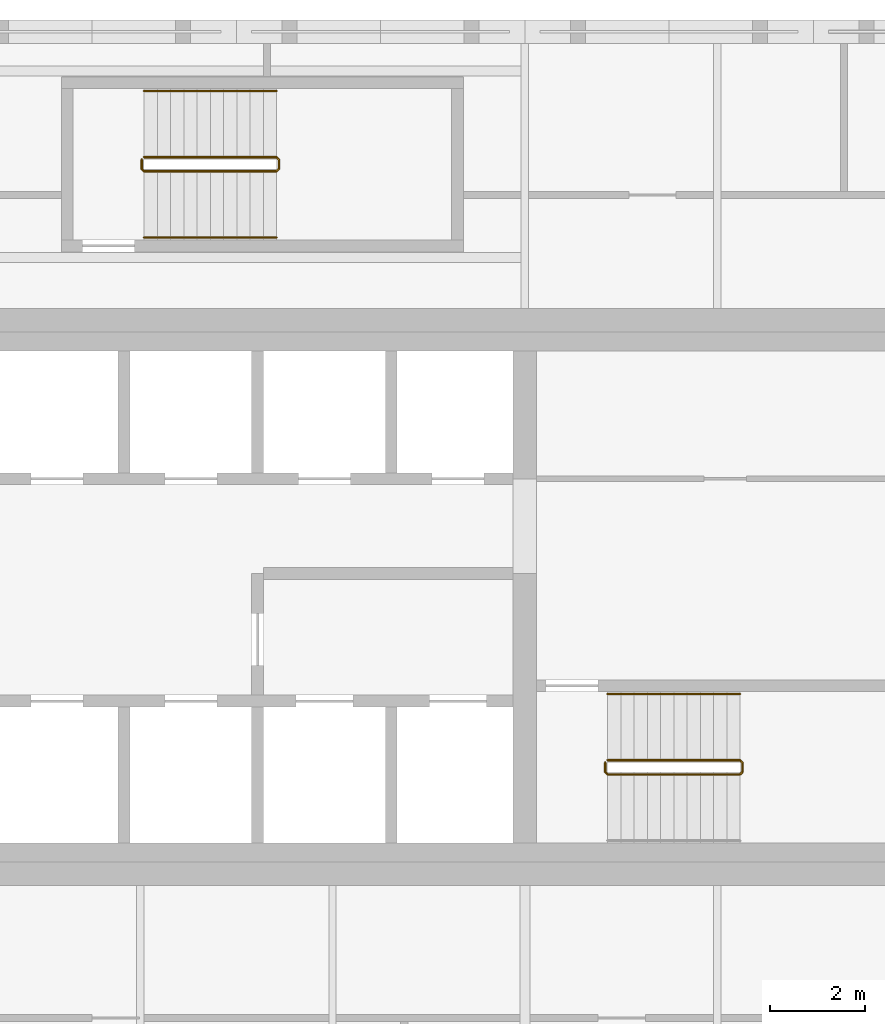
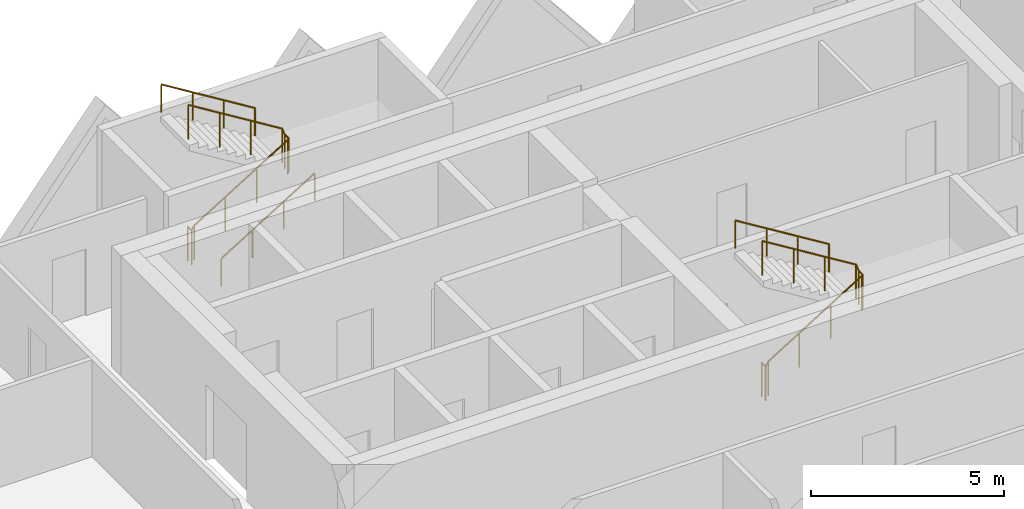
# One storey, part 19 of 19: 5 railings.
"""IFC4 building model written with IfcOpenShell, lengths in metres."""

from ifc_helpers import new_model, si_unit, direction, frame, origin, origin_2d, place, context, subcontext, project, spatial, circle, extrude, material, type_object, element, save


model = new_model("IFC4")

# Units and contexts
model_context = context("Model", 3, precision=1e-05, world=origin(), true_north=direction((0.0, 1.0)))
body_context = subcontext(model_context, "Body", "Model", "MODEL_VIEW")
ifc_project = project(units=[si_unit("LENGTHUNIT", "METRE"), si_unit("AREAUNIT", "SQUARE_METRE"), si_unit("VOLUMEUNIT", "CUBIC_METRE"), si_unit("PLANEANGLEUNIT", "RADIAN"), si_unit("MASSUNIT", "GRAM", prefix="KILO")], contexts=[model_context])

# Site, building, storey
site_placement = place(None, origin())
site = spatial("IfcSite", under=ifc_project, at=site_placement, CompositionType="ELEMENT")
building_placement = place(site_placement, origin())
building = spatial("IfcBuilding", under=site, at=building_placement, Name="Tessera Gate Towers", CompositionType="ELEMENT")
storey_placement = place(building_placement, frame((0.0, 0.0, 72.39990234375)))
storey = spatial("IfcBuildingStorey", under=building, at=storey_placement, Name="L17", CompositionType="ELEMENT", Elevation=72.39990234375)

# Railings
ifc_material_1 = material(Name="Steel 350W", Category="steel")
railing_type_1 = type_object("IfcRailingType", Name="STAIR GUARD 1100", PredefinedType="GUARDRAIL", material=ifc_material_1)
railing_1_placement = place(storey_placement, frame((111.5, 39.199951171875, 0.0)))
element("IfcRailing", 1, at=railing_1_placement, inside=storey, type_object=railing_type_1, Name="L17 ST6 stair guard 1", PredefinedType="GUARDRAIL", context=body_context, shape_type="SweptSolid", body=[
    extrude(circle(Radius=0.02392578125, at=origin_2d()), frame((0.0, 0.0, 1.076171875), z_axis=(0.0, -1.0, 0.0), x_axis=(1.0, 0.0, 0.0)), (0.0, 0.0, 1.0), 0.199951171875),
    extrude(circle(Radius=0.02392578125, at=origin_2d()), frame((0.0, -0.199951171875, 1.076171875), z_axis=(0.267953482034, -0.267953482034, 0.925419830635), x_axis=(0.707106781187, 0.707106781187, 0.0)), (0.0, 0.0, 1.0), 0.186767578125),
    extrude(circle(Radius=0.02392578125, at=origin_2d()), frame((0.050048828125, -0.25, 1.2490234375), z_axis=(0.851089632645, 0.0, 0.525020415988), x_axis=(0.0, 1.0, 0.0)), (0.0, 0.0, 1.0), 3.2900390625),
    extrude(circle(Radius=0.02392578125, at=origin_2d()), frame((2.85009765625, -0.25, 2.97607421875), z_axis=(0.705375805398, 0.708833529934, 0.0), x_axis=(-0.708833529934, 0.705375805398, 0.0)), (0.0, 0.0, 1.0), 0.070556640625),
    extrude(circle(Radius=0.02392578125, at=origin_2d()), frame((2.89990234375, -0.199951171875, 2.97607421875), z_axis=(0.0, 1.0, 0.0), x_axis=(-1.0, 0.0, 0.0)), (0.0, 0.0, 1.0), 0.199951171875),
    extrude(circle(Radius=0.02392578125, at=origin_2d()), frame((2.89990234375, 0.0, 2.97607421875), z_axis=(-0.267062837333, 0.268371968888, 0.925556009775), x_axis=(-0.708833529934, -0.705375805398, 0.0)), (0.0, 0.0, 1.0), 0.1865234375),
    extrude(circle(Radius=0.02392578125, at=origin_2d()), frame((2.85009765625, 0.050048828125, 3.14892578125), z_axis=(-0.851089632645, 0.0, 0.525020415988), x_axis=(0.0, -1.0, 0.0)), (0.0, 0.0, 1.0), 3.2900390625),
    extrude(circle(Radius=0.02099609375, at=origin_2d()), origin(), (0.0, 0.0, 1.0), 1.052001953125),
    extrude(circle(Radius=0.02099609375, at=origin_2d()), frame((0.0, -0.199951171875, 0.0)), (0.0, 0.0, 1.0), 1.052001953125),
    extrude(circle(Radius=0.02099609375, at=origin_2d()), frame((0.050048828125, -0.25, 0.1728515625)), (0.0, 0.0, 1.0), 1.052001953125),
    extrude(circle(Radius=0.02099609375, at=origin_2d()), frame((0.9833984375, -0.25, 0.74853515625)), (0.0, 0.0, 1.0), 1.052001953125),
    extrude(circle(Radius=0.02099609375, at=origin_2d()), frame((1.916748046875, -0.25, 1.324462890625)), (0.0, 0.0, 1.0), 1.052001953125),
    extrude(circle(Radius=0.02099609375, at=origin_2d()), frame((2.85009765625, -0.25, 1.900146484375)), (0.0, 0.0, 1.0), 1.052001953125),
    extrude(circle(Radius=0.02099609375, at=origin_2d()), frame((2.89990234375, -0.199951171875, 1.900146484375)), (0.0, 0.0, 1.0), 1.052001953125),
    extrude(circle(Radius=0.02099609375, at=origin_2d()), frame((2.89990234375, 0.0, 1.900146484375)), (0.0, 0.0, 1.0), 1.052001953125),
    extrude(circle(Radius=0.02099609375, at=origin_2d()), frame((2.85009765625, 0.050048828125, 2.07275390625)), (0.0, 0.0, 1.0), 1.052001953125),
    extrude(circle(Radius=0.02099609375, at=origin_2d()), frame((1.916748046875, 0.050048828125, 2.6484375)), (0.0, 0.0, 1.0), 1.052001953125),
    extrude(circle(Radius=0.02099609375, at=origin_2d()), frame((0.9833984375, 0.050048828125, 3.224365234375)), (0.0, 0.0, 1.0), 1.052001953125),
    extrude(circle(Radius=0.02099609375, at=origin_2d()), frame((0.050048828125, 0.050048828125, 3.800048828125)), (0.0, 0.0, 1.0), 1.052001953125),
])
railing_2_placement = place(storey_placement, frame((101.699951171875, 51.949951171875, 0.0)))
element("IfcRailing", 2, at=railing_2_placement, inside=storey, type_object=railing_type_1, Name="L17 ST7 stair guard 1", PredefinedType="GUARDRAIL", context=body_context, shape_type="SweptSolid", body=[
    extrude(circle(Radius=0.02392578125, at=origin_2d()), frame((0.0, 0.0, 1.076171875), z_axis=(0.0, -1.0, 0.0), x_axis=(1.0, 0.0, 0.0)), (0.0, 0.0, 1.0), 0.199951171875),
    extrude(circle(Radius=0.02392578125, at=origin_2d()), frame((0.0, -0.199951171875, 1.076171875), z_axis=(0.267953482034, -0.267953482034, 0.925419830635), x_axis=(0.707106781187, 0.707106781187, 0.0)), (0.0, 0.0, 1.0), 0.186767578125),
    extrude(circle(Radius=0.02392578125, at=origin_2d()), frame((0.050048828125, -0.25, 1.2490234375), z_axis=(0.851089632645, 0.0, 0.525020415988), x_axis=(0.0, 1.0, 0.0)), (0.0, 0.0, 1.0), 3.2900390625),
    extrude(circle(Radius=0.02392578125, at=origin_2d()), frame((2.85009765625, -0.25, 2.97607421875), z_axis=(0.707106781187, 0.707106781187, 0.0), x_axis=(-0.707106781187, 0.707106781187, 0.0)), (0.0, 0.0, 1.0), 0.07080078125),
    extrude(circle(Radius=0.02392578125, at=origin_2d()), frame((2.900146484375, -0.199951171875, 2.97607421875), z_axis=(0.0, 1.0, 0.0), x_axis=(-1.0, 0.0, 0.0)), (0.0, 0.0, 1.0), 0.199951171875),
    extrude(circle(Radius=0.02392578125, at=origin_2d()), frame((2.900146484375, 0.0, 2.97607421875), z_axis=(-0.268277960024, 0.268277960024, 0.925231793839), x_axis=(-0.707106781187, -0.707106781187, 0.0)), (0.0, 0.0, 1.0), 0.1865234375),
    extrude(circle(Radius=0.02392578125, at=origin_2d()), frame((2.85009765625, 0.050048828125, 3.14892578125), z_axis=(-0.851089632645, 0.0, 0.525020415988), x_axis=(0.0, -1.0, 0.0)), (0.0, 0.0, 1.0), 3.2900390625),
    extrude(circle(Radius=0.02099609375, at=origin_2d()), origin(), (0.0, 0.0, 1.0), 1.052001953125),
    extrude(circle(Radius=0.02099609375, at=origin_2d()), frame((0.0, -0.199951171875, 0.0)), (0.0, 0.0, 1.0), 1.052001953125),
    extrude(circle(Radius=0.02099609375, at=origin_2d()), frame((0.050048828125, -0.25, 0.1728515625)), (0.0, 0.0, 1.0), 1.052001953125),
    extrude(circle(Radius=0.02099609375, at=origin_2d()), frame((0.9833984375, -0.25, 0.74853515625)), (0.0, 0.0, 1.0), 1.052001953125),
    extrude(circle(Radius=0.02099609375, at=origin_2d()), frame((1.916748046875, -0.25, 1.324462890625)), (0.0, 0.0, 1.0), 1.052001953125),
    extrude(circle(Radius=0.02099609375, at=origin_2d()), frame((2.85009765625, -0.25, 1.900146484375)), (0.0, 0.0, 1.0), 1.052001953125),
    extrude(circle(Radius=0.02099609375, at=origin_2d()), frame((2.900146484375, -0.199951171875, 1.900146484375)), (0.0, 0.0, 1.0), 1.052001953125),
    extrude(circle(Radius=0.02099609375, at=origin_2d()), frame((2.900146484375, 0.0, 1.900146484375)), (0.0, 0.0, 1.0), 1.052001953125),
    extrude(circle(Radius=0.02099609375, at=origin_2d()), frame((2.85009765625, 0.050048828125, 2.07275390625)), (0.0, 0.0, 1.0), 1.052001953125),
    extrude(circle(Radius=0.02099609375, at=origin_2d()), frame((1.916748046875, 0.050048828125, 2.6484375)), (0.0, 0.0, 1.0), 1.052001953125),
    extrude(circle(Radius=0.02099609375, at=origin_2d()), frame((0.9833984375, 0.050048828125, 3.224365234375)), (0.0, 0.0, 1.0), 1.052001953125),
    extrude(circle(Radius=0.02099609375, at=origin_2d()), frame((0.050048828125, 0.050048828125, 3.800048828125)), (0.0, 0.0, 1.0), 1.052001953125),
])
ifc_material_2 = material(Name="Steel 350W", Category="steel")
railing_type_2 = type_object("IfcRailingType", Name="STAIR HANDRAIL 900", PredefinedType="HANDRAIL", material=ifc_material_2)
railing_3_placement = place(storey_placement, frame((114.35009765625, 40.64990234375, 2.07275390625)))
element("IfcRailing", 3, at=railing_3_placement, inside=storey, type_object=railing_type_2, Name="L17 ST6 stair handrail 2", PredefinedType="HANDRAIL", context=body_context, shape_type="SweptSolid", body=[
    extrude(circle(Radius=0.02392578125, at=origin_2d()), frame((0.0, 0.0, 0.8759765625), z_axis=(-0.851089632645, 0.0, 0.525020415988), x_axis=(0.0, -1.0, 0.0)), (0.0, 0.0, 1.0), 3.2900390625),
    extrude(circle(Radius=0.02099609375, at=origin_2d()), origin(), (0.0, 0.0, 1.0), 0.851806640625),
    extrude(circle(Radius=0.02099609375, at=origin_2d()), frame((-0.933349609375, 0.0, 0.57568359375)), (0.0, 0.0, 1.0), 0.851806640625),
    extrude(circle(Radius=0.02099609375, at=origin_2d()), frame((-1.86669921875, 0.0, 1.151611328125)), (0.0, 0.0, 1.0), 0.851806640625),
    extrude(circle(Radius=0.02099609375, at=origin_2d()), frame((-2.800048828125, 0.0, 1.727294921875)), (0.0, 0.0, 1.0), 0.851806640625),
])
railing_4_placement = place(storey_placement, frame((101.75, 50.300048828125, 0.1728515625)))
element("IfcRailing", 4, at=railing_4_placement, inside=storey, type_object=railing_type_2, Name="L17 ST7 stair handrail 1", PredefinedType="HANDRAIL", context=body_context, shape_type="SweptSolid", body=[
    extrude(circle(Radius=0.02392578125, at=origin_2d()), frame((0.0, 0.0, 0.8759765625), z_axis=(0.851089632645, 0.0, 0.525020415988), x_axis=(0.0, 1.0, 0.0)), (0.0, 0.0, 1.0), 3.2900390625),
    extrude(circle(Radius=0.02099609375, at=origin_2d()), origin(), (0.0, 0.0, 1.0), 0.851806640625),
    extrude(circle(Radius=0.02099609375, at=origin_2d()), frame((0.933349609375, 0.0, 0.57568359375)), (0.0, 0.0, 1.0), 0.851806640625),
    extrude(circle(Radius=0.02099609375, at=origin_2d()), frame((1.86669921875, 0.0, 1.151611328125)), (0.0, 0.0, 1.0), 0.851806640625),
    extrude(circle(Radius=0.02099609375, at=origin_2d()), frame((2.800048828125, 0.0, 1.727294921875)), (0.0, 0.0, 1.0), 0.851806640625),
])
railing_5_placement = place(storey_placement, frame((104.550048828125, 53.39990234375, 2.07275390625)))
element("IfcRailing", 5, at=railing_5_placement, inside=storey, type_object=railing_type_2, Name="L17 ST7 stair handrail 2", PredefinedType="HANDRAIL", context=body_context, shape_type="SweptSolid", body=[
    extrude(circle(Radius=0.02392578125, at=origin_2d()), frame((0.0, 0.0, 0.8759765625), z_axis=(-0.851089632645, 0.0, 0.525020415988), x_axis=(0.0, -1.0, 0.0)), (0.0, 0.0, 1.0), 3.2900390625),
    extrude(circle(Radius=0.02099609375, at=origin_2d()), origin(), (0.0, 0.0, 1.0), 0.851806640625),
    extrude(circle(Radius=0.02099609375, at=origin_2d()), frame((-0.933349609375, 0.0, 0.57568359375)), (0.0, 0.0, 1.0), 0.851806640625),
    extrude(circle(Radius=0.02099609375, at=origin_2d()), frame((-1.86669921875, 0.0, 1.151611328125)), (0.0, 0.0, 1.0), 0.851806640625),
    extrude(circle(Radius=0.02099609375, at=origin_2d()), frame((-2.800048828125, 0.0, 1.727294921875)), (0.0, 0.0, 1.0), 0.851806640625),
])

save(model, "model.ifc")
